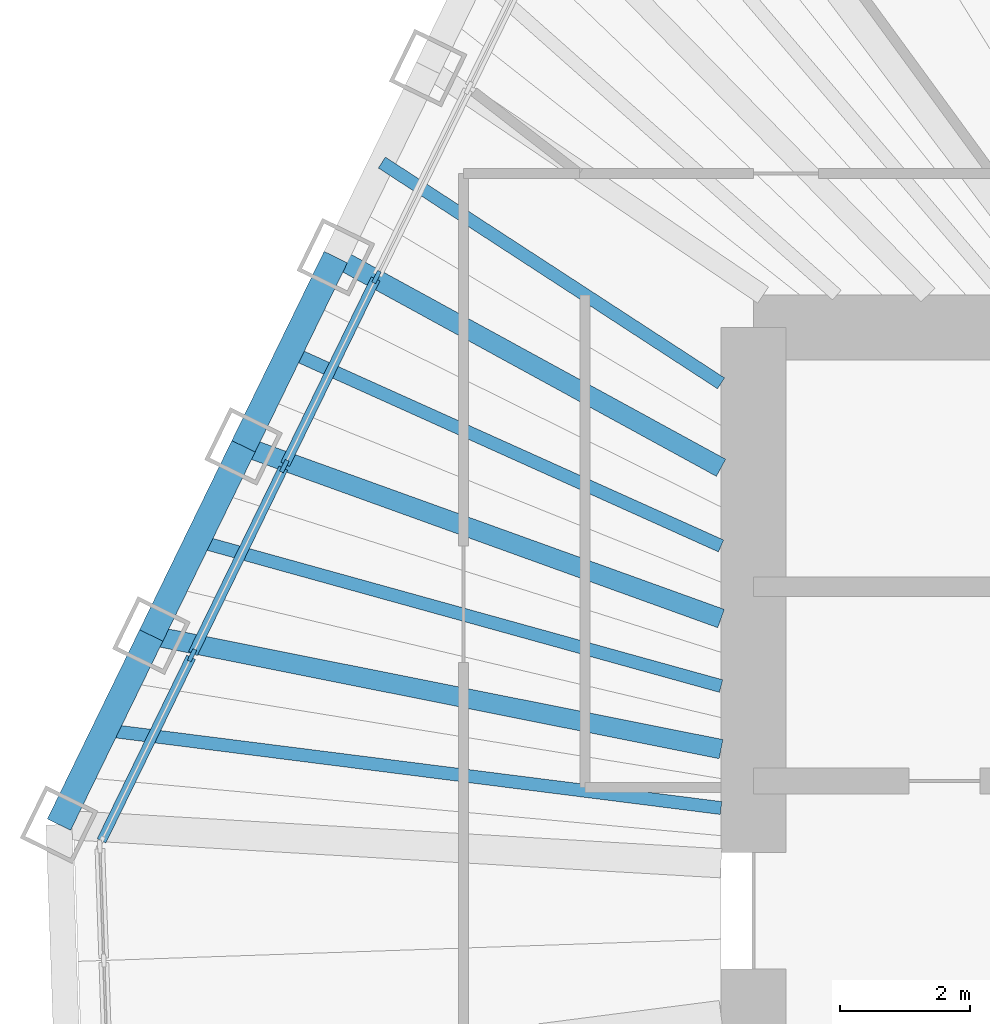
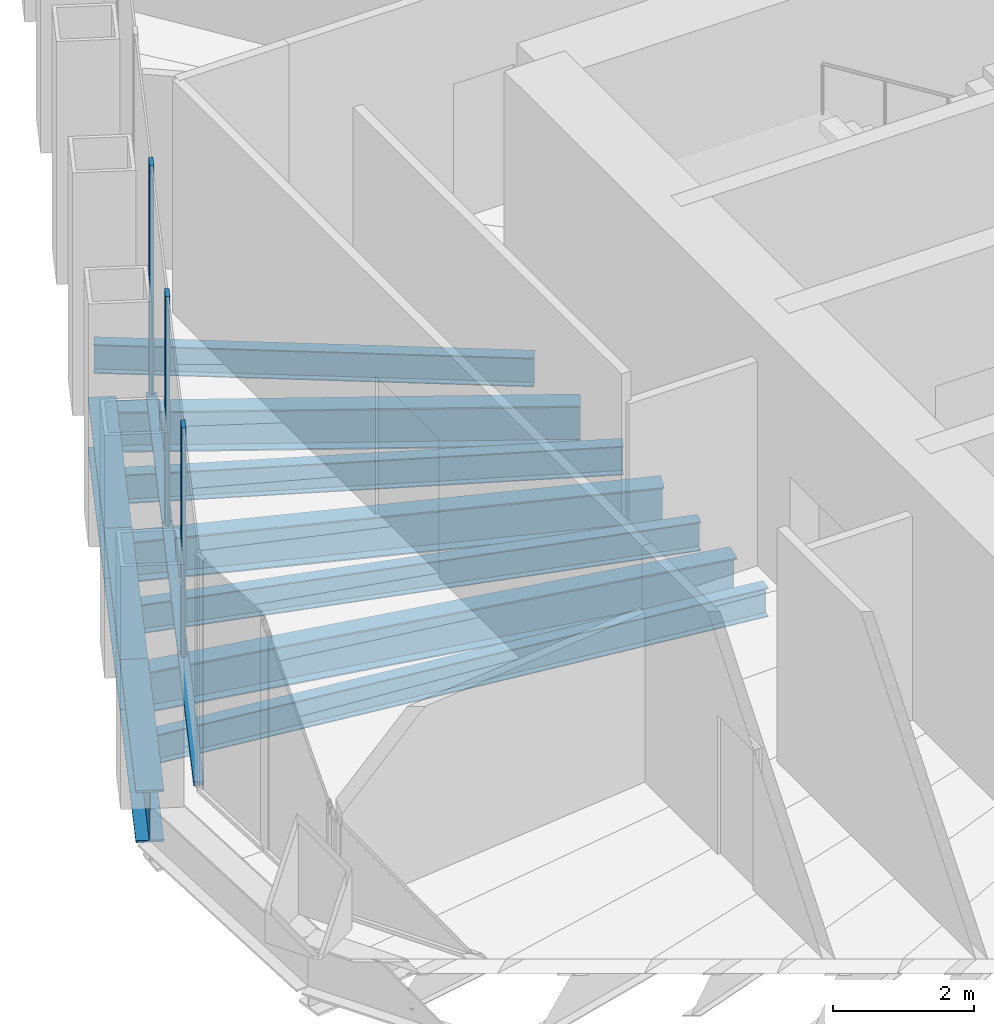
# One storey, part 4 of 14: 10 beams, 6 members, 1 element without a shape of its own.
"""IFC4 building model written with IfcOpenShell, lengths in metres."""

from ifc_helpers import new_model, si_unit, direction, frame, origin, origin_2d, place, context, subcontext, project, spatial, rectangle, i_section, extrude, material, material_profile, profile_set, type_object, element, aggregate, save


model = new_model("IFC4")

# Units and contexts
model_context = context("Model", 3, precision=1e-05, world=origin(), true_north=direction((0.0, 1.0)))
body_context = subcontext(model_context, "Body", "Model", "MODEL_VIEW")
ifc_project = project(units=[si_unit("LENGTHUNIT", "METRE"), si_unit("AREAUNIT", "SQUARE_METRE"), si_unit("VOLUMEUNIT", "CUBIC_METRE"), si_unit("PLANEANGLEUNIT", "RADIAN"), si_unit("MASSUNIT", "GRAM", prefix="KILO")], contexts=[model_context])

# Site, building, storey
site_placement = place(None, origin())
site = spatial("IfcSite", under=ifc_project, at=site_placement, CompositionType="ELEMENT")
building_placement = place(site_placement, origin())
building = spatial("IfcBuilding", under=site, at=building_placement, Name="Qingtian Harvest Tower", CompositionType="ELEMENT")
storey_placement = place(building_placement, frame((0.0, 0.0, 287.199951171875)))
storey = spatial("IfcBuildingStorey", under=building, at=storey_placement, Name="L63", CompositionType="ELEMENT", Elevation=287.199951171875)

# Beams
ifc_material_1 = material(Name="Steel SN490B", Category="steel")
ifc_material_profile_1 = material_profile(ifc_material_1, i_section(OverallWidth=0.300048828125, OverallDepth=0.699951171875, WebThickness=0.012939453125, FlangeThickness=0.02392578125, at=origin_2d()), Name="H700x300x13x24")
ifc_profile_set_1 = profile_set([ifc_material_profile_1], Name="Steel SN490B")
beam_type_1 = type_object("IfcBeamType", Name="Floor beam FB4 H700x300x13x24", PredefinedType="BEAM", material=ifc_profile_set_1)
beam_1_placement = place(storey_placement, frame((-21.29345703125, 4.246337890625, -0.52001953125), z_axis=(0.980688391079, -0.195576786971, 0.0), x_axis=(0.195576786971, 0.980688391079, 0.0)))
element("IfcBeam", 1, at=beam_1_placement, inside=storey, type_object=beam_type_1, Name="Floor beam FB4 NW1", PredefinedType="BEAM", context=body_context, shape_type="SweptSolid", body=[
    extrude(i_section(OverallWidth=0.300048828125, OverallDepth=0.699951171875, WebThickness=0.012939453125, FlangeThickness=0.02392578125, at=origin_2d()), origin(), (0.0, 0.0, 1.0), 8.966552734375),
])
beam_2_placement = place(storey_placement, frame((-19.86962890625, 7.165771484375, -0.52001953125), z_axis=(0.940688220757, -0.339272267256, 0.0), x_axis=(0.339272267256, 0.940688220757, 0.0)))
element("IfcBeam", 2, at=beam_2_placement, inside=storey, type_object=beam_type_1, Name="Floor beam FB4 NW2", PredefinedType="BEAM", context=body_context, shape_type="SweptSolid", body=[
    extrude(i_section(OverallWidth=0.300048828125, OverallDepth=0.699951171875, WebThickness=0.012939453125, FlangeThickness=0.02392578125, at=origin_2d()), origin(), (0.0, 0.0, 1.0), 7.834228515625),
])
beam_3_placement = place(storey_placement, frame((-18.44580078125, 10.0849609375, -0.52001953125), z_axis=(0.877425639682, -0.479712671116, 0.0), x_axis=(0.479712671116, 0.877425639682, 0.0)))
element("IfcBeam", 3, at=beam_3_placement, inside=storey, type_object=beam_type_1, Name="Floor beam FB4 NW3", PredefinedType="BEAM", context=body_context, shape_type="SweptSolid", body=[
    extrude(i_section(OverallWidth=0.300048828125, OverallDepth=0.699951171875, WebThickness=0.012939453125, FlangeThickness=0.02392578125, at=origin_2d()), origin(), (0.0, 0.0, 1.0), 6.7763671875),
])
ifc_material_2 = material(Name="Steel SN490B", Category="steel")
ifc_material_profile_2 = material_profile(ifc_material_2, i_section(OverallWidth=0.199951171875, OverallDepth=0.5, WebThickness=0.010009765625, FlangeThickness=0.01611328125, at=origin_2d()), Name="H500x200x10x16")
ifc_profile_set_2 = profile_set([ifc_material_profile_2], Name="Steel SN490B")
beam_type_2 = type_object("IfcBeamType", Name="Floor joist J3 H500x200x10x16", PredefinedType="JOIST", material=ifc_profile_set_2)
beam_4_placement = place(storey_placement, frame((-22.00537109375, 2.78662109375, -0.419921875), z_axis=(0.992078247837, -0.125621455844, 0.0), x_axis=(0.125621455844, 0.992078247837, 0.0)))
element("IfcBeam", 4, at=beam_4_placement, inside=storey, type_object=beam_type_2, Name="Floor joist J3 NW0", PredefinedType="JOIST", context=body_context, shape_type="SweptSolid", body=[
    extrude(i_section(OverallWidth=0.199951171875, OverallDepth=0.5, WebThickness=0.010009765625, FlangeThickness=0.01611328125, at=origin_2d()), origin(), (0.0, 0.0, 1.0), 9.581298828125),
])
beam_5_placement = place(storey_placement, frame((-20.58154296875, 5.7060546875, -0.419921875), z_axis=(0.963652918134, -0.267157356949, 0.0), x_axis=(0.267157356949, 0.963652918134, 0.0)))
element("IfcBeam", 5, at=beam_5_placement, inside=storey, type_object=beam_type_2, Name="Floor joist J3 NW1", PredefinedType="JOIST", context=body_context, shape_type="SweptSolid", body=[
    extrude(i_section(OverallWidth=0.199951171875, OverallDepth=0.5, WebThickness=0.010009765625, FlangeThickness=0.01611328125, at=origin_2d()), origin(), (0.0, 0.0, 1.0), 8.386474609375),
])
beam_6_placement = place(storey_placement, frame((-19.15771484375, 8.625244140625, -0.419921875), z_axis=(0.911852669976, -0.410517610168, 0.0), x_axis=(0.410517610168, 0.911852669976, 0.0)))
element("IfcBeam", 6, at=beam_6_placement, inside=storey, type_object=beam_type_2, Name="Floor joist J3 NW2", PredefinedType="JOIST", context=body_context, shape_type="SweptSolid", body=[
    extrude(i_section(OverallWidth=0.199951171875, OverallDepth=0.5, WebThickness=0.010009765625, FlangeThickness=0.01611328125, at=origin_2d()), origin(), (0.0, 0.0, 1.0), 7.30126953125),
])
beam_7_placement = place(storey_placement, frame((-17.73388671875, 11.544677734375, -0.419921875), z_axis=(0.838062930903, -0.545573573266, 0.0), x_axis=(0.545573573266, 0.838062930903, 0.0)))
element("IfcBeam", 7, at=beam_7_placement, inside=storey, type_object=beam_type_2, Name="Floor joist J3 NW3", PredefinedType="JOIST", context=body_context, shape_type="SweptSolid", body=[
    extrude(i_section(OverallWidth=0.199951171875, OverallDepth=0.5, WebThickness=0.010009765625, FlangeThickness=0.01611328125, at=origin_2d()), origin(), (0.0, 0.0, 1.0), 6.2451171875),
])

# Curtain wall, members
ifc_material_3 = material(Name="Bronze-anodised aluminium curtain wall", Category="aluminium")
curtain_wall_type = type_object("IfcCurtainWallType", Name="Curtain wall CW5 upper office", PredefinedType="USERDEFINED", material=ifc_material_3)
curtain_wall_placement = place(storey_placement, origin())
curtain_wall = element("IfcCurtainWall", 8, at=curtain_wall_placement, inside=storey, type_object=curtain_wall_type, Name="Curtain wall CW5 L63 NW0-5", ObjectType="RECESSED CURTAIN WALL", PredefinedType="USERDEFINED")
ifc_material_4 = material(Name="Bronze-anodised aluminium mullion", Category="aluminium")
ifc_material_profile_3 = material_profile(ifc_material_4, rectangle(XDim=0.06494140625, YDim=0.199951171875, at=origin_2d()), Name="AL 65x200")
ifc_profile_set_3 = profile_set([ifc_material_profile_3], Name="Bronze-anodised aluminium mullion")
member_type_1 = type_object("IfcMemberType", Name="Mullion CWM 65x200", PredefinedType="MULLION", material=ifc_profile_set_3)
member_1_placement = place(storey_placement, frame((-20.664306640625, 3.939453125, 0.0), z_axis=(0.0, 0.0, 1.0), x_axis=(-0.898794046299, 0.438371146789, 0.0)))
member_1 = element("IfcMember", 9, at=member_1_placement, type_object=member_type_1, Name="CW5 mullion 2", PredefinedType="MULLION", context=body_context, shape_type="SweptSolid", body=[
    extrude(rectangle(XDim=0.06494140625, YDim=0.199951171875, at=origin_2d()), origin(), (0.0, 0.0, 1.0), 4.030029296875),
])
member_2_placement = place(storey_placement, frame((-19.240478515625, 6.85888671875, 0.0), z_axis=(0.0, 0.0, 1.0), x_axis=(-0.898794046299, 0.438371146789, 0.0)))
member_2 = element("IfcMember", 10, at=member_2_placement, type_object=member_type_1, Name="CW5 mullion 3", PredefinedType="MULLION", context=body_context, shape_type="SweptSolid", body=[
    extrude(rectangle(XDim=0.06494140625, YDim=0.199951171875, at=origin_2d()), origin(), (0.0, 0.0, 1.0), 4.030029296875),
])
member_3_placement = place(storey_placement, frame((-17.816650390625, 9.778076171875, 0.0), z_axis=(0.0, 0.0, 1.0), x_axis=(-0.898794046299, 0.438371146789, 0.0)))
member_3 = element("IfcMember", 11, at=member_3_placement, type_object=member_type_1, Name="CW5 mullion 4", PredefinedType="MULLION", context=body_context, shape_type="SweptSolid", body=[
    extrude(rectangle(XDim=0.06494140625, YDim=0.199951171875, at=origin_2d()), origin(), (0.0, 0.0, 1.0), 4.030029296875),
])

# Beams
ifc_material_5 = material(Name="Steel SN490B", Category="steel")
ifc_material_profile_4 = material_profile(ifc_material_5, i_section(OverallWidth=0.39990234375, OverallDepth=0.89990234375, WebThickness=0.01904296875, FlangeThickness=0.035888671875, at=origin_2d()), Name="H900x400x19x36")
ifc_profile_set_4 = profile_set([ifc_material_profile_4], Name="Steel SN490B")
beam_type_3 = type_object("IfcBeamType", Name="Spandrel beam SB4 H900x400x19x36", PredefinedType="SPANDREL", material=ifc_profile_set_4)
beam_8_placement = place(storey_placement, frame((-22.71728515625, 1.3271484375, -0.449951171875), z_axis=(0.438382164311, 0.898788672611, 0.0), x_axis=(-0.898788672611, 0.438382164311, 0.0)))
element("IfcBeam", 12, at=beam_8_placement, inside=storey, type_object=beam_type_3, Name="Spandrel SB4 NW0", PredefinedType="SPANDREL", context=body_context, shape_type="SweptSolid", body=[
    extrude(i_section(OverallWidth=0.39990234375, OverallDepth=0.89990234375, WebThickness=0.01904296875, FlangeThickness=0.035888671875, at=origin_2d()), origin(), (0.0, 0.0, 1.0), 3.247802734375),
])
beam_9_placement = place(storey_placement, frame((-21.29345703125, 4.246337890625, -0.449951171875), z_axis=(0.438352548749, 0.898803116931, 0.0), x_axis=(-0.898803116931, 0.438352548749, 0.0)))
element("IfcBeam", 13, at=beam_9_placement, inside=storey, type_object=beam_type_3, Name="Spandrel SB4 NW1", PredefinedType="SPANDREL", context=body_context, shape_type="SweptSolid", body=[
    extrude(i_section(OverallWidth=0.39990234375, OverallDepth=0.89990234375, WebThickness=0.01904296875, FlangeThickness=0.035888671875, at=origin_2d()), origin(), (0.0, 0.0, 1.0), 3.248046875),
])
beam_10_placement = place(storey_placement, frame((-19.86962890625, 7.165771484375, -0.449951171875), z_axis=(0.438382164311, 0.898788672611, 0.0), x_axis=(-0.898788672611, 0.438382164311, 0.0)))
element("IfcBeam", 14, at=beam_10_placement, inside=storey, type_object=beam_type_3, Name="Spandrel SB4 NW2", PredefinedType="SPANDREL", context=body_context, shape_type="SweptSolid", body=[
    extrude(i_section(OverallWidth=0.39990234375, OverallDepth=0.89990234375, WebThickness=0.01904296875, FlangeThickness=0.035888671875, at=origin_2d()), origin(), (0.0, 0.0, 1.0), 3.247802734375),
])

# Member
ifc_material_6 = material(Name="Bronze-anodised aluminium transom", Category="aluminium")
ifc_material_profile_5 = material_profile(ifc_material_6, rectangle(XDim=0.14990234375, YDim=0.06494140625, at=origin_2d()), Name="AL 65x150")
ifc_profile_set_5 = profile_set([ifc_material_profile_5], Name="Bronze-anodised aluminium transom")
member_type_2 = type_object("IfcMemberType", Name="Transom CWT 65x150", PredefinedType="USERDEFINED", material=ifc_profile_set_5)
member_4_placement = place(storey_placement, frame((-22.059814453125, 1.07861328125, 0.032470703125), z_axis=(0.438357982629, 0.89880046677, 0.0), x_axis=(-0.89880046677, 0.438357982629, 0.0)))
member_4 = element("IfcMember", 15, at=member_4_placement, type_object=member_type_2, Name="CW5 transom 1.1", ObjectType="TRANSOM", PredefinedType="USERDEFINED", context=body_context, shape_type="SweptSolid", body=[
    extrude(rectangle(XDim=0.14990234375, YDim=0.06494140625, at=origin_2d()), origin(), (0.0, 0.0, 1.0), 3.150634765625),
])

member_5_placement = place(storey_placement, frame((-20.650146484375, 3.96875, 0.032470703125), z_axis=(0.438355626738, 0.898801615768, 0.0), x_axis=(-0.898801615768, 0.438355626738, 0.0)))
member_5 = element("IfcMember", 16, at=member_5_placement, type_object=member_type_2, Name="CW5 transom 2.1", ObjectType="TRANSOM", PredefinedType="USERDEFINED", context=body_context, shape_type="SweptSolid", body=[
    extrude(rectangle(XDim=0.14990234375, YDim=0.06494140625, at=origin_2d()), origin(), (0.0, 0.0, 1.0), 3.182861328125),
])

member_6_placement = place(storey_placement, frame((-19.226318359375, 6.887939453125, 0.032470703125), z_axis=(0.438325408134, 0.898816353091, 0.0), x_axis=(-0.898816353091, 0.438325408134, 0.0)))
member_6 = element("IfcMember", 17, at=member_6_placement, type_object=member_type_2, Name="CW5 transom 3.1", ObjectType="TRANSOM", PredefinedType="USERDEFINED", context=body_context, shape_type="SweptSolid", body=[
    extrude(rectangle(XDim=0.14990234375, YDim=0.06494140625, at=origin_2d()), origin(), (0.0, 0.0, 1.0), 3.18310546875),
])

aggregate(curtain_wall, [member_1, member_2, member_3, member_4, member_5, member_6])

save(model, "model.ifc")
